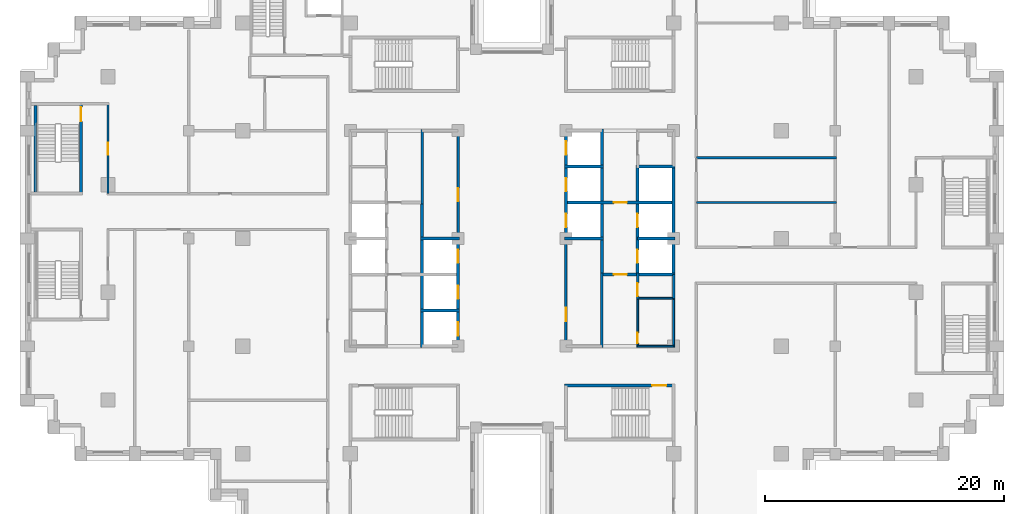
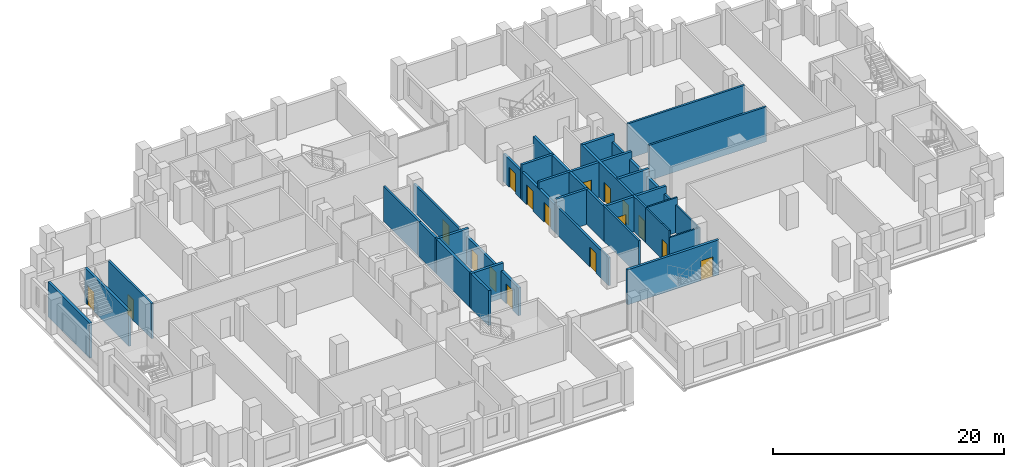
# One storey, part 8 of 15: 30 walls, 17 doors, 17 openings.
"""IFC4 building model written with IfcOpenShell, lengths in metres."""

from ifc_helpers import new_model, si_unit, direction, frame, frame_2d, origin, place, context, subcontext, project, spatial, rectangle, extrude, material, layer, layer_set, type_object, element, fill, save


model = new_model("IFC4")

# Units and contexts
model_context = context("Model", 3, precision=1e-05, world=origin(), true_north=direction((0.0, 1.0)))
body_context = subcontext(model_context, "Body", "Model", "MODEL_VIEW")
ifc_project = project(units=[si_unit("LENGTHUNIT", "METRE"), si_unit("AREAUNIT", "SQUARE_METRE"), si_unit("VOLUMEUNIT", "CUBIC_METRE"), si_unit("PLANEANGLEUNIT", "RADIAN"), si_unit("MASSUNIT", "GRAM", prefix="KILO")], contexts=[model_context])

# Site, building, storey
site_placement = place(None, origin())
site = spatial("IfcSite", under=ifc_project, at=site_placement, CompositionType="ELEMENT")
building_placement = place(site_placement, origin())
building = spatial("IfcBuilding", under=site, at=building_placement, Name="Corbelhall Arena Tower", CompositionType="ELEMENT")
storey_placement = place(building_placement, frame((0.0, 0.0, 80.0)))
storey = spatial("IfcBuildingStorey", under=building, at=storey_placement, Name="L12", CompositionType="ELEMENT", Elevation=80.0)

# Wall, opening, door
ifc_material_1 = material(Name="Gypsum board on steel stud, acoustic", Category="steel")
ifc_layer_1 = layer(ifc_material_1, 0.199951171875)
ifc_layer_set_1 = layer_set([ifc_layer_1], Name="IN-W-DM200")
wall_type_1 = type_object("IfcWallType", Name="IN-W-DM200", PredefinedType="PARTITIONING", material=ifc_layer_set_1)
wall_1_placement = place(storey_placement, frame((-33.75, 11.25, 0.0), z_axis=(0.0, 0.0, 1.0), x_axis=(0.0, -1.0, 0.0)))
wall_1 = element("IfcWall", 1, at=wall_1_placement, inside=storey, type_object=wall_type_1, Name="Partition 005", PredefinedType="PARTITIONING", context=body_context, shape_type="SweptSolid", body=[
    extrude(rectangle(XDim=7.5, YDim=0.199951171875, at=frame_2d((3.75, 0.0))), origin(), (0.0, 0.0, 1.0), 3.699951171875),
])
opening_1_placement = place(wall_1_placement, frame((3.25, 0.0, 0.0)))
opening_1 = element("IfcOpeningElement", 2, at=opening_1_placement, cuts=wall_1, Name="Opening 02037", PredefinedType="OPENING", context=body_context, shape_type="SweptSolid", body=[
    extrude(rectangle(XDim=1.0, YDim=2.10009765625, at=frame_2d((0.5, 1.050048828125))), frame((0.0, 0.10009765625, 0.0), z_axis=(0.0, -1.0, 0.0), x_axis=(1.0, 0.0, 0.0)), (0.0, 0.0, 1.0), 0.199951171875),
])
ifc_material_2 = material(Name="Steel door set", Category="steel")
door_type_1 = type_object("IfcDoorType", Name="IN-D-SW100", OperationType="NOTDEFINED", PredefinedType="DOOR", material=ifc_material_2)
door_1_placement = place(opening_1_placement, origin())
door_1 = element("IfcDoor", 3, at=door_1_placement, inside=storey, type_object=door_type_1, Name="Door 037", OperationType="SINGLE_SWING_RIGHT", OverallHeight=2.10009765625, OverallWidth=1.0, PredefinedType="DOOR", context=body_context, shape_type="SweptSolid", body=[
    extrude(rectangle(XDim=1.0, YDim=2.10009765625, at=frame_2d((0.5, 1.050048828125))), frame((0.0, 0.02490234375, 0.0), z_axis=(0.0, -1.0, 0.0), x_axis=(1.0, 0.0, 0.0)), (0.0, 0.0, 1.0), 0.050048828125),
])
fill(opening_1, door_1)

# Walls
for number, where, z_axis, x_axis, name in (
    (4, (15.39990234375, 3.0, 0.0), (0.0, 0.0, 1.0), (1.0, 0.0, 0.0), "Partition 030"),
    (5, (15.39990234375, 6.75, 0.0), (0.0, 0.0, 1.0), (1.0, 0.0, 0.0), "Partition 032"),
):
    element("IfcWall", number, at=place(storey_placement, frame(where, z_axis=z_axis, x_axis=x_axis)), inside=storey, type_object=wall_type_1, Name=name, PredefinedType="PARTITIONING", context=body_context, shape_type="SweptSolid", body=[
        extrude(rectangle(XDim=11.7001953125, YDim=0.199951171875, at=frame_2d((5.85009765625, 0.0))), origin(), (0.0, 0.0, 1.0), 3.699951171875),
    ])
ifc_material_3 = material(Name="Concrete block wall", Category="concrete")
ifc_layer_2 = layer(ifc_material_3, 0.199951171875)
ifc_layer_set_2 = layer_set([ifc_layer_2], Name="IN-W-RS200")
wall_type_2 = type_object("IfcWallType", Name="IN-W-RS200", PredefinedType="SOLIDWALL", material=ifc_layer_set_2)
for number, where, z_axis, x_axis, name in (
    (6, (-7.5, 2.875, 0.0), (0.0, 0.0, 1.0), (0.0, 1.0, 0.0), "Partition 047"),
    (7, (7.5, -2.875, 0.0), (0.0, 0.0, 1.0), (0.0, -1.0, 0.0), "Partition 052"),
):
    element("IfcWall", number, at=place(storey_placement, frame(where, z_axis=z_axis, x_axis=x_axis)), inside=storey, type_object=wall_type_2, Name=name, PredefinedType="SOLIDWALL", context=body_context, shape_type="SweptSolid", body=[
        extrude(rectangle(XDim=6.22509765625, YDim=0.199951171875, at=frame_2d((3.112548828125, 0.0))), origin(), (0.0, 0.0, 1.0), 3.699951171875),
    ])

# Wall, opening, door
wall_2_placement = place(storey_placement, frame((10.5, -2.875, 0.0), z_axis=(0.0, 0.0, 1.0), x_axis=(0.0, -1.0, 0.0)))
wall_2 = element("IfcWall", 8, at=wall_2_placement, inside=storey, type_object=wall_type_2, Name="Partition 053", PredefinedType="SOLIDWALL", context=body_context, shape_type="SweptSolid", body=[
    extrude(rectangle(XDim=2.199951171875, YDim=0.199951171875, at=frame_2d((1.10009765625, 0.0))), origin(), (0.0, 0.0, 1.0), 3.699951171875),
])
opening_2_placement = place(wall_2_placement, frame((0.85009765625, 0.0, 0.0)))
opening_2 = element("IfcOpeningElement", 9, at=opening_2_placement, cuts=wall_2, Name="Opening 02012", PredefinedType="OPENING", context=body_context, shape_type="SweptSolid", body=[
    extrude(rectangle(XDim=1.10009765625, YDim=2.10009765625, at=frame_2d((0.550048828125, 1.050048828125))), frame((0.0, 0.10009765625, 0.0), z_axis=(0.0, -1.0, 0.0), x_axis=(1.0, 0.0, 0.0)), (0.0, 0.0, 1.0), 0.199951171875),
])
door_type_2 = type_object("IfcDoorType", Name="IN-D-FD110", OperationType="NOTDEFINED", PredefinedType="DOOR", material=ifc_material_2)
door_2_placement = place(opening_2_placement, origin())
door_2 = element("IfcDoor", 10, at=door_2_placement, inside=storey, type_object=door_type_2, Name="Door 012", OperationType="SINGLE_SWING_LEFT", OverallHeight=2.10009765625, OverallWidth=1.10009765625, PredefinedType="DOOR", context=body_context, shape_type="SweptSolid", body=[
    extrude(rectangle(XDim=1.10009765625, YDim=2.10009765625, at=frame_2d((0.550048828125, 1.050048828125))), frame((0.0, 0.02490234375, 0.0), z_axis=(0.0, -1.0, 0.0), x_axis=(1.0, 0.0, 0.0)), (0.0, 0.0, 1.0), 0.050048828125),
])
fill(opening_2, door_2)

ifc_layer_3 = layer(ifc_material_3, 0.199951171875)
ifc_layer_set_3 = layer_set([ifc_layer_3], Name="IN-W-RS200 under beam 762 mm")
wall_type_3 = type_object("IfcWallType", Name="IN-W-RS200 under beam 762 mm", PredefinedType="SOLIDWALL", material=ifc_layer_set_3)
wall_3_placement = place(storey_placement, frame((-4.5, 9.10009765625, 0.0), z_axis=(0.0, 0.0, 1.0), x_axis=(0.0, -1.0, 0.0)))
wall_3 = element("IfcWall", 11, at=wall_3_placement, inside=storey, type_object=wall_type_3, Name="Partition 049", PredefinedType="SOLIDWALL", context=body_context, shape_type="SweptSolid", body=[
    extrude(rectangle(XDim=9.10009765625, YDim=0.199951171875, at=frame_2d((4.550048828125, 0.0))), origin(), (0.0, 0.0, 1.0), 2.93798828125),
])
opening_3_placement = place(wall_3_placement, frame((4.89990234375, 0.0, 0.0)))
opening_3 = element("IfcOpeningElement", 12, at=opening_3_placement, cuts=wall_3, Name="Opening 02001", PredefinedType="OPENING", context=body_context, shape_type="SweptSolid", body=[
    extrude(rectangle(XDim=1.10009765625, YDim=2.10009765625, at=frame_2d((0.550048828125, 1.050048828125))), frame((0.0, 0.10009765625, 0.0), z_axis=(0.0, -1.0, 0.0), x_axis=(1.0, 0.0, 0.0)), (0.0, 0.0, 1.0), 0.199951171875),
])
door_3_placement = place(opening_3_placement, origin())
door_3 = element("IfcDoor", 13, at=door_3_placement, inside=storey, type_object=door_type_2, Name="Door 001", OperationType="SINGLE_SWING_RIGHT", OverallHeight=2.10009765625, OverallWidth=1.10009765625, PredefinedType="DOOR", context=body_context, shape_type="SweptSolid", body=[
    extrude(rectangle(XDim=1.10009765625, YDim=2.10009765625, at=frame_2d((0.550048828125, 1.050048828125))), frame((0.0, 0.02490234375, 0.0), z_axis=(0.0, -1.0, 0.0), x_axis=(1.0, 0.0, 0.0)), (0.0, 0.0, 1.0), 0.050048828125),
])
fill(opening_3, door_3)

wall_4_placement = place(storey_placement, frame((4.5, -9.10009765625, 0.0), z_axis=(0.0, 0.0, 1.0), x_axis=(0.0, 1.0, 0.0)))
wall_4 = element("IfcWall", 14, at=wall_4_placement, inside=storey, type_object=wall_type_3, Name="Partition 050", PredefinedType="SOLIDWALL", context=body_context, shape_type="SweptSolid", body=[
    extrude(rectangle(XDim=9.10009765625, YDim=0.199951171875, at=frame_2d((4.550048828125, 0.0))), origin(), (0.0, 0.0, 1.0), 2.93798828125),
])
opening_4_placement = place(wall_4_placement, frame((2.199951171875, 0.0, 0.0)))
opening_4 = element("IfcOpeningElement", 15, at=opening_4_placement, cuts=wall_4, Name="Opening 02008", PredefinedType="OPENING", context=body_context, shape_type="SweptSolid", body=[
    extrude(rectangle(XDim=1.10009765625, YDim=2.10009765625, at=frame_2d((0.550048828125, 1.050048828125))), frame((0.0, 0.10009765625, 0.0), z_axis=(0.0, -1.0, 0.0), x_axis=(1.0, 0.0, 0.0)), (0.0, 0.0, 1.0), 0.199951171875),
])
door_4_placement = place(opening_4_placement, origin())
door_4 = element("IfcDoor", 16, at=door_4_placement, inside=storey, type_object=door_type_2, Name="Door 008", OperationType="SINGLE_SWING_LEFT", OverallHeight=2.10009765625, OverallWidth=1.10009765625, PredefinedType="DOOR", context=body_context, shape_type="SweptSolid", body=[
    extrude(rectangle(XDim=1.10009765625, YDim=2.10009765625, at=frame_2d((0.550048828125, 1.050048828125))), frame((0.0, 0.02490234375, 0.0), z_axis=(0.0, -1.0, 0.0), x_axis=(1.0, 0.0, 0.0)), (0.0, 0.0, 1.0), 0.050048828125),
])
fill(opening_4, door_4)

# Walls
wall_5_placement = place(storey_placement, frame((13.5, -3.0, 0.0), z_axis=(0.0, 0.0, 1.0), x_axis=(0.0, -1.0, 0.0)))
element("IfcWall", 17, at=wall_5_placement, inside=storey, type_object=wall_type_3, Name="Partition 056", PredefinedType="SOLIDWALL", context=body_context, shape_type="SweptSolid", body=[
    extrude(rectangle(XDim=2.0, YDim=0.199951171875, at=frame_2d((1.0, 0.0))), origin(), (0.0, 0.0, 1.0), 2.93798828125),
])
ifc_material_4 = material(Name="Concrete C40/50", Category="concrete")
ifc_layer_4 = layer(ifc_material_4, 0.25)
ifc_layer_set_4 = layer_set([ifc_layer_4], Name="IN-W-SH250")
wall_type_4 = type_object("IfcWallType", Name="IN-W-SH250", PredefinedType="SOLIDWALL", material=ifc_layer_set_4)
for number, where, z_axis, x_axis, name in (
    (18, (-7.625, -6.0, 0.0), (0.0, 0.0, 1.0), (1.0, 0.0, 0.0), "Shaft wall 063"),
    (19, (-7.625, 0.0, 0.0), (0.0, 0.0, 1.0), (1.0, 0.0, 0.0), "Shaft wall 064"),
):
    element("IfcWall", number, at=place(storey_placement, frame(where, z_axis=z_axis, x_axis=x_axis)), inside=storey, type_object=wall_type_4, Name=name, PredefinedType="SOLIDWALL", context=body_context, shape_type="SweptSolid", body=[
        extrude(rectangle(XDim=3.25, YDim=0.25, at=frame_2d((1.625, 0.0))), origin(), (0.0, 0.0, 1.0), 3.699951171875),
    ])
wall_6_placement = place(storey_placement, frame((-7.5, -9.125, 0.0), z_axis=(0.0, 0.0, 1.0), x_axis=(0.0, 1.0, 0.0)))
element("IfcWall", 20, at=wall_6_placement, inside=storey, type_object=wall_type_4, Name="Shaft wall 065", PredefinedType="SOLIDWALL", context=body_context, shape_type="SweptSolid", body=[
    extrude(rectangle(XDim=12.25, YDim=0.25, at=frame_2d((6.125, 0.0))), origin(), (0.0, 0.0, 1.0), 3.699951171875),
])
wall_7_placement = place(storey_placement, frame((4.375, 0.0, 0.0), z_axis=(0.0, 0.0, 1.0), x_axis=(1.0, 0.0, 0.0)))
element("IfcWall", 21, at=wall_7_placement, inside=storey, type_object=wall_type_4, Name="Shaft wall 068", PredefinedType="SOLIDWALL", context=body_context, shape_type="SweptSolid", body=[
    extrude(rectangle(XDim=3.25, YDim=0.25, at=frame_2d((1.625, 0.0))), origin(), (0.0, 0.0, 1.0), 3.699951171875),
])

# Wall, opening, door
wall_8_placement = place(storey_placement, frame((4.375, 3.0, 0.0), z_axis=(0.0, 0.0, 1.0), x_axis=(1.0, 0.0, 0.0)))
wall_8 = element("IfcWall", 22, at=wall_8_placement, inside=storey, type_object=wall_type_4, Name="Shaft wall 069", PredefinedType="SOLIDWALL", context=body_context, shape_type="SweptSolid", body=[
    extrude(rectangle(XDim=9.25, YDim=0.25, at=frame_2d((4.625, 0.0))), origin(), (0.0, 0.0, 1.0), 3.699951171875),
])
opening_5_placement = place(wall_8_placement, frame((4.125, 0.0, 0.0)))
opening_5 = element("IfcOpeningElement", 23, at=opening_5_placement, cuts=wall_8, Name="Opening 02010", PredefinedType="OPENING", context=body_context, shape_type="SweptSolid", body=[
    extrude(rectangle(XDim=1.10009765625, YDim=2.10009765625, at=frame_2d((0.550048828125, 1.050048828125))), frame((0.0, 0.125, 0.0), z_axis=(0.0, -1.0, 0.0), x_axis=(1.0, 0.0, 0.0)), (0.0, 0.0, 1.0), 0.25),
])
door_5_placement = place(opening_5_placement, origin())
door_5 = element("IfcDoor", 24, at=door_5_placement, inside=storey, type_object=door_type_2, Name="Door 010", OperationType="SINGLE_SWING_LEFT", OverallHeight=2.10009765625, OverallWidth=1.10009765625, PredefinedType="DOOR", context=body_context, shape_type="SweptSolid", body=[
    extrude(rectangle(XDim=1.10009765625, YDim=2.10009765625, at=frame_2d((0.550048828125, 1.050048828125))), frame((0.0, 0.02490234375, 0.0), z_axis=(0.0, -1.0, 0.0), x_axis=(1.0, 0.0, 0.0)), (0.0, 0.0, 1.0), 0.050048828125),
])
fill(opening_5, door_5)

# Wall
wall_9_placement = place(storey_placement, frame((4.375, 6.0, 0.0), z_axis=(0.0, 0.0, 1.0), x_axis=(1.0, 0.0, 0.0)))
element("IfcWall", 25, at=wall_9_placement, inside=storey, type_object=wall_type_4, Name="Shaft wall 070", PredefinedType="SOLIDWALL", context=body_context, shape_type="SweptSolid", body=[
    extrude(rectangle(XDim=3.25, YDim=0.25, at=frame_2d((1.625, 0.0))), origin(), (0.0, 0.0, 1.0), 3.699951171875),
])

# Wall, opening, door
wall_10_placement = place(storey_placement, frame((7.5, -3.0, 0.0), z_axis=(0.0, 0.0, 1.0), x_axis=(1.0, 0.0, 0.0)))
wall_10 = element("IfcWall", 26, at=wall_10_placement, inside=storey, type_object=wall_type_4, Name="Shaft wall 073", PredefinedType="SOLIDWALL", context=body_context, shape_type="SweptSolid", body=[
    extrude(rectangle(XDim=6.125, YDim=0.25, at=frame_2d((3.0625, 0.0))), origin(), (0.0, 0.0, 1.0), 3.699951171875),
])
opening_6_placement = place(wall_10_placement, frame((1.0, 0.0, 0.0)))
opening_6 = element("IfcOpeningElement", 27, at=opening_6_placement, cuts=wall_10, Name="Opening 02009", PredefinedType="OPENING", context=body_context, shape_type="SweptSolid", body=[
    extrude(rectangle(XDim=1.10009765625, YDim=2.10009765625, at=frame_2d((0.550048828125, 1.050048828125))), frame((0.0, 0.125, 0.0), z_axis=(0.0, -1.0, 0.0), x_axis=(1.0, 0.0, 0.0)), (0.0, 0.0, 1.0), 0.25),
])
door_6_placement = place(opening_6_placement, origin())
door_6 = element("IfcDoor", 28, at=door_6_placement, inside=storey, type_object=door_type_2, Name="Door 009", OperationType="SINGLE_SWING_RIGHT", OverallHeight=2.10009765625, OverallWidth=1.10009765625, PredefinedType="DOOR", context=body_context, shape_type="SweptSolid", body=[
    extrude(rectangle(XDim=1.10009765625, YDim=2.10009765625, at=frame_2d((0.550048828125, 1.050048828125))), frame((0.0, 0.02490234375, 0.0), z_axis=(0.0, -1.0, 0.0), x_axis=(1.0, 0.0, 0.0)), (0.0, 0.0, 1.0), 0.050048828125),
])
fill(opening_6, door_6)

# Walls
wall_11_placement = place(storey_placement, frame((7.5, 9.125, 0.0), z_axis=(0.0, 0.0, 1.0), x_axis=(0.0, -1.0, 0.0)))
element("IfcWall", 29, at=wall_11_placement, inside=storey, type_object=wall_type_4, Name="Shaft wall 074", PredefinedType="SOLIDWALL", context=body_context, shape_type="SweptSolid", body=[
    extrude(rectangle(XDim=12.25, YDim=0.25, at=frame_2d((6.125, 0.0))), origin(), (0.0, 0.0, 1.0), 3.699951171875),
])
wall_12_placement = place(storey_placement, frame((10.5, 0.0, 0.0), z_axis=(0.0, 0.0, 1.0), x_axis=(1.0, 0.0, 0.0)))
element("IfcWall", 30, at=wall_12_placement, inside=storey, type_object=wall_type_4, Name="Shaft wall 075", PredefinedType="SOLIDWALL", context=body_context, shape_type="SweptSolid", body=[
    extrude(rectangle(XDim=3.125, YDim=0.25, at=frame_2d((1.5625, 0.0))), origin(), (0.0, 0.0, 1.0), 3.699951171875),
])

# Wall, openings, doors
wall_13_placement = place(storey_placement, frame((10.5, 6.125, 0.0), z_axis=(0.0, 0.0, 1.0), x_axis=(0.0, -1.0, 0.0)))
wall_13 = element("IfcWall", 31, at=wall_13_placement, inside=storey, type_object=wall_type_4, Name="Shaft wall 076", PredefinedType="SOLIDWALL", context=body_context, shape_type="SweptSolid", body=[
    extrude(rectangle(XDim=9.25, YDim=0.25, at=frame_2d((4.625, 0.0))), origin(), (0.0, 0.0, 1.0), 3.699951171875),
])
opening_7_placement = place(wall_13_placement, frame((7.074951171875, 0.0, 0.0)))
opening_7 = element("IfcOpeningElement", 32, at=opening_7_placement, cuts=wall_13, Name="Opening LD", PredefinedType="OPENING", context=body_context, shape_type="SweptSolid", body=[
    extrude(rectangle(XDim=1.10009765625, YDim=2.10009765625, at=frame_2d((0.550048828125, 1.050048828125))), frame((0.0, 0.125, 0.0), z_axis=(0.0, -1.0, 0.0), x_axis=(1.0, 0.0, 0.0)), (0.0, 0.0, 1.0), 0.25),
])
opening_8_placement = place(wall_13_placement, frame((4.074951171875, 0.0, 0.0)))
opening_8 = element("IfcOpeningElement", 33, at=opening_8_placement, cuts=wall_13, Name="Opening LD", PredefinedType="OPENING", context=body_context, shape_type="SweptSolid", body=[
    extrude(rectangle(XDim=1.10009765625, YDim=2.10009765625, at=frame_2d((0.550048828125, 1.050048828125))), frame((0.0, 0.125, 0.0), z_axis=(0.0, -1.0, 0.0), x_axis=(1.0, 0.0, 0.0)), (0.0, 0.0, 1.0), 0.25),
])
door_type_3 = type_object("IfcDoorType", Name="IN-D-LD110", OperationType="NOTDEFINED", PredefinedType="DOOR", material=ifc_material_2)
door_7_placement = place(opening_7_placement, origin())
door_7 = element("IfcDoor", 34, at=door_7_placement, inside=storey, type_object=door_type_3, Name="Landing door E3", OperationType="SLIDING_TO_LEFT", OverallHeight=2.10009765625, OverallWidth=1.10009765625, PredefinedType="DOOR", context=body_context, shape_type="SweptSolid", body=[
    extrude(rectangle(XDim=1.10009765625, YDim=2.10009765625, at=frame_2d((0.550048828125, 1.050048828125))), frame((0.0, 0.02490234375, 0.0), z_axis=(0.0, -1.0, 0.0), x_axis=(1.0, 0.0, 0.0)), (0.0, 0.0, 1.0), 0.050048828125),
])
fill(opening_7, door_7)
door_8_placement = place(opening_8_placement, origin())
door_8 = element("IfcDoor", 35, at=door_8_placement, inside=storey, type_object=door_type_3, Name="Landing door E4", OperationType="SLIDING_TO_LEFT", OverallHeight=2.10009765625, OverallWidth=1.10009765625, PredefinedType="DOOR", context=body_context, shape_type="SweptSolid", body=[
    extrude(rectangle(XDim=1.10009765625, YDim=2.10009765625, at=frame_2d((0.550048828125, 1.050048828125))), frame((0.0, 0.02490234375, 0.0), z_axis=(0.0, -1.0, 0.0), x_axis=(1.0, 0.0, 0.0)), (0.0, 0.0, 1.0), 0.050048828125),
])
fill(opening_8, door_8)

# Wall
wall_14_placement = place(storey_placement, frame((10.5, 6.0, 0.0), z_axis=(0.0, 0.0, 1.0), x_axis=(1.0, 0.0, 0.0)))
element("IfcWall", 36, at=wall_14_placement, inside=storey, type_object=wall_type_4, Name="Shaft wall 077", PredefinedType="SOLIDWALL", context=body_context, shape_type="SweptSolid", body=[
    extrude(rectangle(XDim=3.125, YDim=0.25, at=frame_2d((1.5625, 0.0))), origin(), (0.0, 0.0, 1.0), 3.699951171875),
])

# Wall, openings, doors
ifc_layer_5 = layer(ifc_material_4, 0.25)
ifc_layer_set_5 = layer_set([ifc_layer_5], Name="IN-W-SH250 under beam 762 mm")
wall_type_5 = type_object("IfcWallType", Name="IN-W-SH250 under beam 762 mm", PredefinedType="SOLIDWALL", material=ifc_layer_set_5)
wall_15_placement = place(storey_placement, frame((-4.5, 0.0, 0.0), z_axis=(0.0, 0.0, 1.0), x_axis=(0.0, -1.0, 0.0)))
wall_15 = element("IfcWall", 37, at=wall_15_placement, inside=storey, type_object=wall_type_5, Name="Shaft wall 067", PredefinedType="SOLIDWALL", context=body_context, shape_type="SweptSolid", body=[
    extrude(rectangle(XDim=9.125, YDim=0.25, at=frame_2d((4.5625, 0.0))), origin(), (0.0, 0.0, 1.0), 2.93798828125),
])
opening_9_placement = place(wall_15_placement, frame((7.012451171875, 0.0, 0.0)))
opening_9 = element("IfcOpeningElement", 38, at=opening_9_placement, cuts=wall_15, Name="Opening LD", PredefinedType="OPENING", context=body_context, shape_type="SweptSolid", body=[
    extrude(rectangle(XDim=1.10009765625, YDim=2.10009765625, at=frame_2d((0.550048828125, 1.050048828125))), frame((0.0, 0.125, 0.0), z_axis=(0.0, -1.0, 0.0), x_axis=(1.0, 0.0, 0.0)), (0.0, 0.0, 1.0), 0.25),
])
opening_10_placement = place(wall_15_placement, frame((3.949951171875, 0.0, 0.0)))
opening_10 = element("IfcOpeningElement", 39, at=opening_10_placement, cuts=wall_15, Name="Opening LD", PredefinedType="OPENING", context=body_context, shape_type="SweptSolid", body=[
    extrude(rectangle(XDim=1.10009765625, YDim=2.10009765625, at=frame_2d((0.550048828125, 1.050048828125))), frame((0.0, 0.125, 0.0), z_axis=(0.0, -1.0, 0.0), x_axis=(1.0, 0.0, 0.0)), (0.0, 0.0, 1.0), 0.25),
])
opening_11_placement = place(wall_15_placement, frame((0.949951171875, 0.0, 0.0)))
opening_11 = element("IfcOpeningElement", 40, at=opening_11_placement, cuts=wall_15, Name="Opening LD", PredefinedType="OPENING", context=body_context, shape_type="SweptSolid", body=[
    extrude(rectangle(XDim=1.10009765625, YDim=2.10009765625, at=frame_2d((0.550048828125, 1.050048828125))), frame((0.0, 0.125, 0.0), z_axis=(0.0, -1.0, 0.0), x_axis=(1.0, 0.0, 0.0)), (0.0, 0.0, 1.0), 0.25),
])
door_9_placement = place(opening_9_placement, origin())
door_9 = element("IfcDoor", 41, at=door_9_placement, inside=storey, type_object=door_type_3, Name="Landing door W1", OperationType="SLIDING_TO_LEFT", OverallHeight=2.10009765625, OverallWidth=1.10009765625, PredefinedType="DOOR", context=body_context, shape_type="SweptSolid", body=[
    extrude(rectangle(XDim=1.10009765625, YDim=2.10009765625, at=frame_2d((0.550048828125, 1.050048828125))), frame((0.0, 0.02490234375, 0.0), z_axis=(0.0, -1.0, 0.0), x_axis=(1.0, 0.0, 0.0)), (0.0, 0.0, 1.0), 0.050048828125),
])
fill(opening_9, door_9)
door_10_placement = place(opening_10_placement, origin())
door_10 = element("IfcDoor", 42, at=door_10_placement, inside=storey, type_object=door_type_3, Name="Landing door W2", OperationType="SLIDING_TO_LEFT", OverallHeight=2.10009765625, OverallWidth=1.10009765625, PredefinedType="DOOR", context=body_context, shape_type="SweptSolid", body=[
    extrude(rectangle(XDim=1.10009765625, YDim=2.10009765625, at=frame_2d((0.550048828125, 1.050048828125))), frame((0.0, 0.02490234375, 0.0), z_axis=(0.0, -1.0, 0.0), x_axis=(1.0, 0.0, 0.0)), (0.0, 0.0, 1.0), 0.050048828125),
])
fill(opening_10, door_10)
door_11_placement = place(opening_11_placement, origin())
door_11 = element("IfcDoor", 43, at=door_11_placement, inside=storey, type_object=door_type_3, Name="Landing door W3", OperationType="SLIDING_TO_LEFT", OverallHeight=2.10009765625, OverallWidth=1.10009765625, PredefinedType="DOOR", context=body_context, shape_type="SweptSolid", body=[
    extrude(rectangle(XDim=1.10009765625, YDim=2.10009765625, at=frame_2d((0.550048828125, 1.050048828125))), frame((0.0, 0.02490234375, 0.0), z_axis=(0.0, -1.0, 0.0), x_axis=(1.0, 0.0, 0.0)), (0.0, 0.0, 1.0), 0.050048828125),
])
fill(opening_11, door_11)

wall_16_placement = place(storey_placement, frame((4.5, 0.0, 0.0), z_axis=(0.0, 0.0, 1.0), x_axis=(0.0, 1.0, 0.0)))
wall_16 = element("IfcWall", 44, at=wall_16_placement, inside=storey, type_object=wall_type_5, Name="Shaft wall 071", PredefinedType="SOLIDWALL", context=body_context, shape_type="SweptSolid", body=[
    extrude(rectangle(XDim=9.125, YDim=0.25, at=frame_2d((4.5625, 0.0))), origin(), (0.0, 0.0, 1.0), 2.93798828125),
])
opening_12_placement = place(wall_16_placement, frame((0.949951171875, 0.0, 0.0)))
opening_12 = element("IfcOpeningElement", 45, at=opening_12_placement, cuts=wall_16, Name="Opening LD", PredefinedType="OPENING", context=body_context, shape_type="SweptSolid", body=[
    extrude(rectangle(XDim=1.10009765625, YDim=2.10009765625, at=frame_2d((0.550048828125, 1.050048828125))), frame((0.0, 0.125, 0.0), z_axis=(0.0, -1.0, 0.0), x_axis=(1.0, 0.0, 0.0)), (0.0, 0.0, 1.0), 0.25),
])
opening_13_placement = place(wall_16_placement, frame((3.949951171875, 0.0, 0.0)))
opening_13 = element("IfcOpeningElement", 46, at=opening_13_placement, cuts=wall_16, Name="Opening LD", PredefinedType="OPENING", context=body_context, shape_type="SweptSolid", body=[
    extrude(rectangle(XDim=1.10009765625, YDim=2.10009765625, at=frame_2d((0.550048828125, 1.050048828125))), frame((0.0, 0.125, 0.0), z_axis=(0.0, -1.0, 0.0), x_axis=(1.0, 0.0, 0.0)), (0.0, 0.0, 1.0), 0.25),
])
opening_14_placement = place(wall_16_placement, frame((7.012451171875, 0.0, 0.0)))
opening_14 = element("IfcOpeningElement", 47, at=opening_14_placement, cuts=wall_16, Name="Opening LD", PredefinedType="OPENING", context=body_context, shape_type="SweptSolid", body=[
    extrude(rectangle(XDim=1.10009765625, YDim=2.10009765625, at=frame_2d((0.550048828125, 1.050048828125))), frame((0.0, 0.125, 0.0), z_axis=(0.0, -1.0, 0.0), x_axis=(1.0, 0.0, 0.0)), (0.0, 0.0, 1.0), 0.25),
])
door_12_placement = place(opening_12_placement, origin())
door_12 = element("IfcDoor", 48, at=door_12_placement, inside=storey, type_object=door_type_3, Name="Landing door E4", OperationType="SLIDING_TO_LEFT", OverallHeight=2.10009765625, OverallWidth=1.10009765625, PredefinedType="DOOR", context=body_context, shape_type="SweptSolid", body=[
    extrude(rectangle(XDim=1.10009765625, YDim=2.10009765625, at=frame_2d((0.550048828125, 1.050048828125))), frame((0.0, 0.02490234375, 0.0), z_axis=(0.0, -1.0, 0.0), x_axis=(1.0, 0.0, 0.0)), (0.0, 0.0, 1.0), 0.050048828125),
])
fill(opening_12, door_12)
door_13_placement = place(opening_13_placement, origin())
door_13 = element("IfcDoor", 49, at=door_13_placement, inside=storey, type_object=door_type_3, Name="Landing door E5", OperationType="SLIDING_TO_LEFT", OverallHeight=2.10009765625, OverallWidth=1.10009765625, PredefinedType="DOOR", context=body_context, shape_type="SweptSolid", body=[
    extrude(rectangle(XDim=1.10009765625, YDim=2.10009765625, at=frame_2d((0.550048828125, 1.050048828125))), frame((0.0, 0.02490234375, 0.0), z_axis=(0.0, -1.0, 0.0), x_axis=(1.0, 0.0, 0.0)), (0.0, 0.0, 1.0), 0.050048828125),
])
fill(opening_13, door_13)
door_14_placement = place(opening_14_placement, origin())
door_14 = element("IfcDoor", 50, at=door_14_placement, inside=storey, type_object=door_type_3, Name="Landing door E6", OperationType="SLIDING_TO_LEFT", OverallHeight=2.10009765625, OverallWidth=1.10009765625, PredefinedType="DOOR", context=body_context, shape_type="SweptSolid", body=[
    extrude(rectangle(XDim=1.10009765625, YDim=2.10009765625, at=frame_2d((0.550048828125, 1.050048828125))), frame((0.0, 0.02490234375, 0.0), z_axis=(0.0, -1.0, 0.0), x_axis=(1.0, 0.0, 0.0)), (0.0, 0.0, 1.0), 0.050048828125),
])
fill(opening_14, door_14)

# Wall
wall_17_placement = place(storey_placement, frame((13.5, 6.0, 0.0), z_axis=(0.0, 0.0, 1.0), x_axis=(0.0, -1.0, 0.0)))
element("IfcWall", 51, at=wall_17_placement, inside=storey, type_object=wall_type_5, Name="Shaft wall 078", PredefinedType="SOLIDWALL", context=body_context, shape_type="SweptSolid", body=[
    extrude(rectangle(XDim=9.0, YDim=0.25, at=frame_2d((4.5, 0.0))), origin(), (0.0, 0.0, 1.0), 2.93798828125),
])

# Wall, opening, door
ifc_layer_6 = layer(ifc_material_4, 0.25)
ifc_layer_set_6 = layer_set([ifc_layer_6], Name="IN-W-ST250")
wall_type_6 = type_object("IfcWallType", Name="IN-W-ST250", PredefinedType="SOLIDWALL", material=ifc_layer_set_6)
wall_18_placement = place(storey_placement, frame((-36.0, 11.375, 0.0), z_axis=(0.0, 0.0, 1.0), x_axis=(0.0, -1.0, 0.0)))
wall_18 = element("IfcWall", 52, at=wall_18_placement, inside=storey, type_object=wall_type_6, Name="Shaft wall 083", PredefinedType="SOLIDWALL", context=body_context, shape_type="SweptSolid", body=[
    extrude(rectangle(XDim=7.625, YDim=0.25, at=frame_2d((3.8125, 0.0))), origin(), (0.0, 0.0, 1.0), 3.699951171875),
])
opening_15_placement = place(wall_18_placement, frame((0.39990234375, 0.0, 0.0)))
opening_15 = element("IfcOpeningElement", 53, at=opening_15_placement, cuts=wall_18, Name="Opening 02018", PredefinedType="OPENING", context=body_context, shape_type="SweptSolid", body=[
    extrude(rectangle(XDim=1.199951171875, YDim=2.10009765625, at=frame_2d((0.60009765625, 1.050048828125))), frame((0.0, 0.125, 0.0), z_axis=(0.0, -1.0, 0.0), x_axis=(1.0, 0.0, 0.0)), (0.0, 0.0, 1.0), 0.25),
])
door_type_4 = type_object("IfcDoorType", Name="IN-D-ST120", OperationType="NOTDEFINED", PredefinedType="DOOR", material=ifc_material_2)
door_15_placement = place(opening_15_placement, origin())
door_15 = element("IfcDoor", 54, at=door_15_placement, inside=storey, type_object=door_type_4, Name="Door 018", OperationType="SINGLE_SWING_LEFT", OverallHeight=2.10009765625, OverallWidth=1.199951171875, PredefinedType="DOOR", context=body_context, shape_type="SweptSolid", body=[
    extrude(rectangle(XDim=1.199951171875, YDim=2.10009765625, at=frame_2d((0.60009765625, 1.050048828125))), frame((0.0, 0.02490234375, 0.0), z_axis=(0.0, -1.0, 0.0), x_axis=(1.0, 0.0, 0.0)), (0.0, 0.0, 1.0), 0.050048828125),
])
fill(opening_15, door_15)

wall_19_placement = place(storey_placement, frame((13.5, -12.300048828125, 0.0), z_axis=(0.0, 0.0, 1.0), x_axis=(-1.0, 0.0, 0.0)))
wall_19 = element("IfcWall", 55, at=wall_19_placement, inside=storey, type_object=wall_type_6, Name="Shaft wall 099", PredefinedType="SOLIDWALL", context=body_context, shape_type="SweptSolid", body=[
    extrude(rectangle(XDim=9.125, YDim=0.25, at=frame_2d((4.5625, 0.0))), origin(), (0.0, 0.0, 1.0), 3.699951171875),
])
opening_16_placement = place(wall_19_placement, frame((0.60009765625, 0.0, 0.0)))
opening_16 = element("IfcOpeningElement", 56, at=opening_16_placement, cuts=wall_19, Name="Opening 02017", PredefinedType="OPENING", context=body_context, shape_type="SweptSolid", body=[
    extrude(rectangle(XDim=1.199951171875, YDim=2.10009765625, at=frame_2d((0.60009765625, 1.050048828125))), frame((0.0, 0.125, 0.0), z_axis=(0.0, -1.0, 0.0), x_axis=(1.0, 0.0, 0.0)), (0.0, 0.0, 1.0), 0.25),
])
door_16_placement = place(opening_16_placement, origin())
door_16 = element("IfcDoor", 57, at=door_16_placement, inside=storey, type_object=door_type_4, Name="Door 017", OperationType="SINGLE_SWING_RIGHT", OverallHeight=2.10009765625, OverallWidth=1.199951171875, PredefinedType="DOOR", context=body_context, shape_type="SweptSolid", body=[
    extrude(rectangle(XDim=1.199951171875, YDim=2.10009765625, at=frame_2d((0.60009765625, 1.050048828125))), frame((0.0, 0.02490234375, 0.0), z_axis=(0.0, -1.0, 0.0), x_axis=(1.0, 0.0, 0.0)), (0.0, 0.0, 1.0), 0.050048828125),
])
fill(opening_16, door_16)

# Walls
wall_20_placement = place(storey_placement, frame((-39.824951171875, 3.875, 0.0), z_axis=(0.0, 0.0, 1.0), x_axis=(0.0, 1.0, 0.0)))
element("IfcWall", 58, at=wall_20_placement, inside=storey, type_object=wall_type_6, Name="Shaft wall SC1 facade side", PredefinedType="SOLIDWALL", context=body_context, shape_type="SweptSolid", body=[
    extrude(rectangle(XDim=7.25, YDim=0.25, at=frame_2d((3.625, 0.0))), origin(), (0.0, 0.0, 1.0), 3.699951171875),
])
ifc_material_5 = material(Name="Gypsum board on steel stud, moisture resistant", Category="steel")
ifc_layer_7 = layer(ifc_material_5, 0.14990234375)
ifc_layer_set_7 = layer_set([ifc_layer_7], Name="IN-W-WC150")
wall_type_7 = type_object("IfcWallType", Name="IN-W-WC150", PredefinedType="PARTITIONING", material=ifc_layer_set_7)
wall_21_placement = place(storey_placement, frame((10.5, -5.0, 0.0), z_axis=(0.0, 0.0, 1.0), x_axis=(1.0, 0.0, 0.0)))
element("IfcWall", 59, at=wall_21_placement, inside=storey, type_object=wall_type_7, Name="Partition 114", PredefinedType="PARTITIONING", context=body_context, shape_type="SweptSolid", body=[
    extrude(rectangle(XDim=3.10009765625, YDim=0.14990234375, at=frame_2d((1.550048828125, 0.0))), origin(), (0.0, 0.0, 1.0), 3.699951171875),
])

# Wall, opening, door
wall_22_placement = place(storey_placement, frame((10.5, -4.925048828125, 0.0), z_axis=(0.0, 0.0, 1.0), x_axis=(0.0, -1.0, 0.0)))
wall_22 = element("IfcWall", 60, at=wall_22_placement, inside=storey, type_object=wall_type_7, Name="Partition 115", PredefinedType="PARTITIONING", context=body_context, shape_type="SweptSolid", body=[
    extrude(rectangle(XDim=4.14990234375, YDim=0.14990234375, at=frame_2d((2.074951171875, 0.0))), origin(), (0.0, 0.0, 1.0), 3.699951171875),
])
opening_17_placement = place(wall_22_placement, frame((2.949951171875, 0.0, 0.0)))
opening_17 = element("IfcOpeningElement", 61, at=opening_17_placement, cuts=wall_22, Name="Opening 02011", PredefinedType="OPENING", context=body_context, shape_type="SweptSolid", body=[
    extrude(rectangle(XDim=0.89990234375, YDim=2.10009765625, at=frame_2d((0.449951171875, 1.050048828125))), frame((0.0, 0.074951171875, 0.0), z_axis=(0.0, -1.0, 0.0), x_axis=(1.0, 0.0, 0.0)), (0.0, 0.0, 1.0), 0.14990234375),
])
ifc_material_6 = material(Name="Timber door set", Category="wood")
door_type_5 = type_object("IfcDoorType", Name="IN-D-SW90", OperationType="NOTDEFINED", PredefinedType="DOOR", material=ifc_material_6)
door_17_placement = place(opening_17_placement, origin())
door_17 = element("IfcDoor", 62, at=door_17_placement, inside=storey, type_object=door_type_5, Name="Door 011", OperationType="SINGLE_SWING_RIGHT", OverallHeight=2.10009765625, OverallWidth=0.89990234375, PredefinedType="DOOR", context=body_context, shape_type="SweptSolid", body=[
    extrude(rectangle(XDim=0.89990234375, YDim=2.10009765625, at=frame_2d((0.449951171875, 1.050048828125))), frame((0.0, 0.02490234375, 0.0), z_axis=(0.0, -1.0, 0.0), x_axis=(1.0, 0.0, 0.0)), (0.0, 0.0, 1.0), 0.050048828125),
])
fill(opening_17, door_17)

# Walls
ifc_layer_8 = layer(ifc_material_5, 0.14990234375)
ifc_layer_set_8 = layer_set([ifc_layer_8], Name="IN-W-WC150 under beam 762 mm")
wall_type_8 = type_object("IfcWallType", Name="IN-W-WC150 under beam 762 mm", PredefinedType="PARTITIONING", material=ifc_layer_set_8)
wall_23_placement = place(storey_placement, frame((13.5, -9.0, 0.0), z_axis=(0.0, 0.0, 1.0), x_axis=(-1.0, 0.0, 0.0)))
element("IfcWall", 63, at=wall_23_placement, inside=storey, type_object=wall_type_8, Name="Partition 116", PredefinedType="PARTITIONING", context=body_context, shape_type="SweptSolid", body=[
    extrude(rectangle(XDim=3.0, YDim=0.14990234375, at=frame_2d((1.5, 0.0))), origin(), (0.0, 0.0, 1.0), 2.93798828125),
])
wall_24_placement = place(storey_placement, frame((13.5, -5.0, 0.0), z_axis=(0.0, 0.0, 1.0), x_axis=(0.0, -1.0, 0.0)))
element("IfcWall", 64, at=wall_24_placement, inside=storey, type_object=wall_type_8, Name="Partition 117", PredefinedType="PARTITIONING", context=body_context, shape_type="SweptSolid", body=[
    extrude(rectangle(XDim=4.074951171875, YDim=0.14990234375, at=frame_2d((2.03759765625, 0.0))), origin(), (0.0, 0.0, 1.0), 2.93798828125),
])

save(model, "model.ifc")
